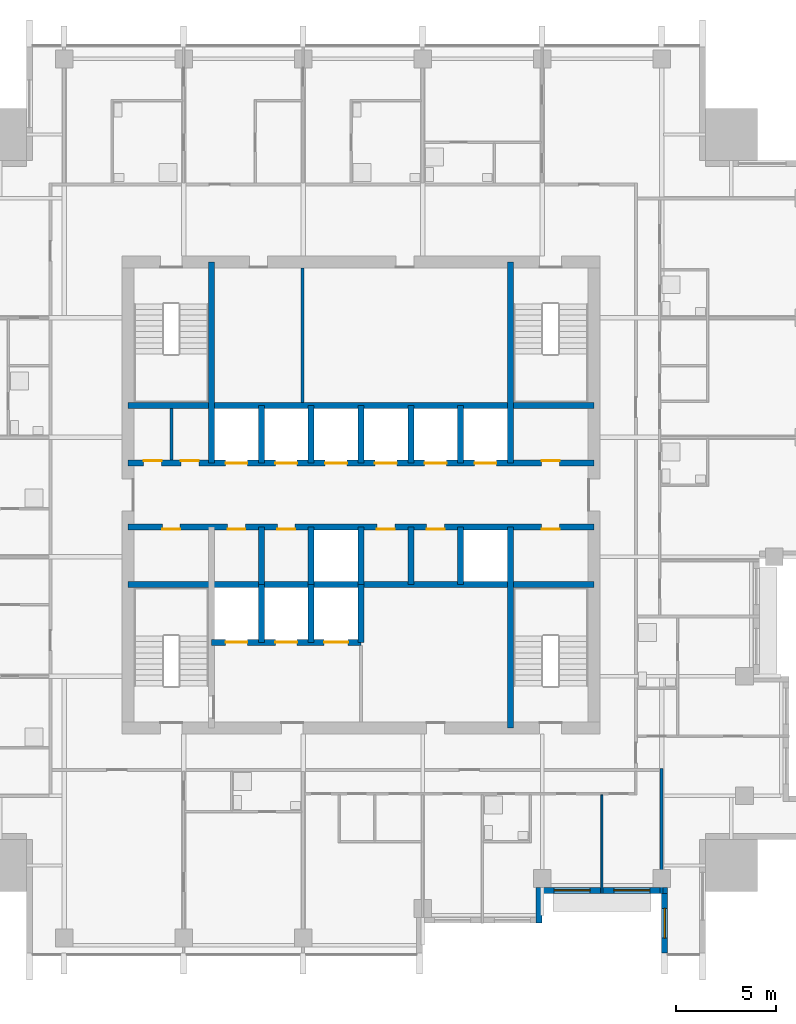
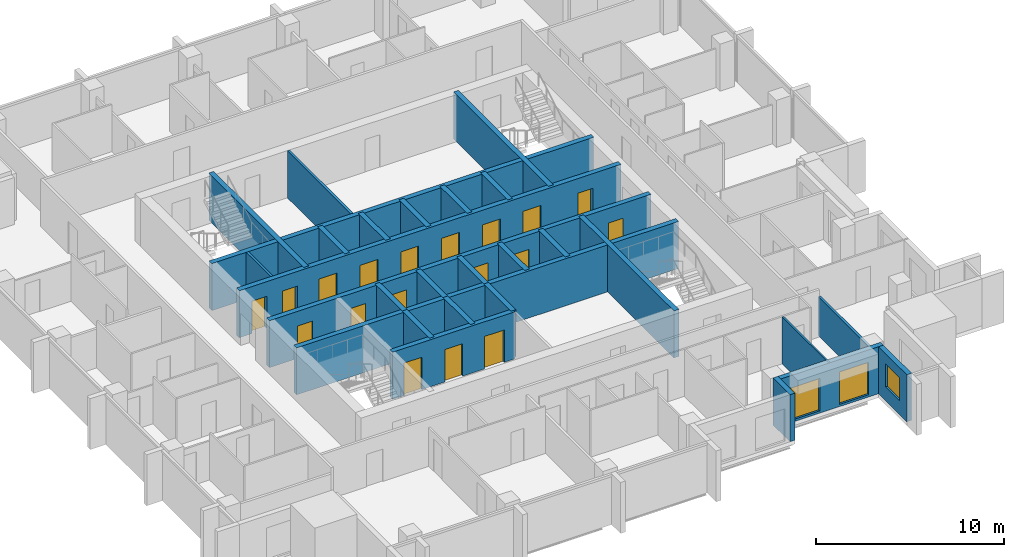
# One storey, part 5 of 10: 28 walls, 18 doors, 3 windows, 21 openings.
"""IFC4 building model written with IfcOpenShell, lengths in metres."""

from ifc_helpers import new_model, si_unit, direction, frame, frame_2d, origin, place, context, subcontext, project, spatial, rectangle, extrude, material, layer, layer_set, type_object, element, fill, save


model = new_model("IFC4")

# Units and contexts
model_context = context("Model", 3, precision=1e-05, world=origin(), true_north=direction((0.0, 1.0)))
body_context = subcontext(model_context, "Body", "Model", "MODEL_VIEW")
ifc_project = project(units=[si_unit("LENGTHUNIT", "METRE"), si_unit("AREAUNIT", "SQUARE_METRE"), si_unit("VOLUMEUNIT", "CUBIC_METRE"), si_unit("PLANEANGLEUNIT", "RADIAN"), si_unit("MASSUNIT", "GRAM", prefix="KILO")], contexts=[model_context])

# Site, building, storey
site_placement = place(None, origin())
site = spatial("IfcSite", under=ifc_project, at=site_placement, CompositionType="ELEMENT")
building_placement = place(site_placement, origin())
building = spatial("IfcBuilding", under=site, at=building_placement, Name="Amberfall Residences", CompositionType="ELEMENT")
storey_placement = place(building_placement, frame((0.0, 0.0, 200.199951171875)))
storey = spatial("IfcBuildingStorey", under=building, at=storey_placement, Name="L53", CompositionType="ELEMENT", Elevation=200.199951171875)

# Wall
ifc_material_1 = material(Name="Pale stone cladding on insulated backing", Category="masonry")
ifc_layer_1 = layer(ifc_material_1, 0.300048828125)
ifc_layer_set_1 = layer_set([ifc_layer_1], Name="Bronze clad wall 300")
wall_type_1 = type_object("IfcWallType", Name="Bronze clad wall 300", PredefinedType="SOLIDWALL", material=ifc_layer_set_1)
wall_1_placement = place(storey_placement, frame((83.449951171875, 24.0, 0.0), z_axis=(0.0, 0.0, 1.0), x_axis=(0.0, 1.0, 0.0)))
element("IfcWall", 1, at=wall_1_placement, inside=storey, type_object=wall_type_1, Name="External wall L53 S", PredefinedType="SOLIDWALL", context=body_context, shape_type="SweptSolid", body=[
    extrude(rectangle(XDim=1.800048828125, YDim=0.300048828125, at=frame_2d((0.89990234375, 0.0))), origin(), (0.0, 0.0, 1.0), 3.050048828125),
])

# Wall, opening, window
wall_2_placement = place(storey_placement, frame((89.75, 25.5, 0.0), z_axis=(0.0, 0.0, 1.0), x_axis=(0.0, -1.0, 0.0)))
wall_2 = element("IfcWall", 2, at=wall_2_placement, inside=storey, type_object=wall_type_1, Name="External wall L53 S", PredefinedType="SOLIDWALL", context=body_context, shape_type="SweptSolid", body=[
    extrude(rectangle(XDim=3.0, YDim=0.300048828125, at=frame_2d((1.5, 0.0))), origin(), (0.0, 0.0, 1.0), 3.050048828125),
])
opening_1_placement = place(wall_2_placement, frame((0.75, 0.0, 0.89990234375)))
opening_1 = element("IfcOpeningElement", 3, at=opening_1_placement, cuts=wall_2, Name="Opening WN1", PredefinedType="OPENING", context=body_context, shape_type="SweptSolid", body=[
    extrude(rectangle(XDim=1.5, YDim=1.5, at=frame_2d((0.75, 0.75))), frame((0.0, 0.159912109375, 0.0), z_axis=(0.0, -1.0, 0.0), x_axis=(1.0, 0.0, 0.0)), (0.0, 0.0, 1.0), 0.320068359375),
])
ifc_material_2 = material(Name="Bronze aluminium framed glazing", Category="aluminium")
window_type_1 = type_object("IfcWindowType", Name="Window 1500 x 1500 bronze", PartitioningType="DOUBLE_PANEL_VERTICAL", PredefinedType="WINDOW", material=ifc_material_2)
window_1_placement = place(opening_1_placement, origin())
window_1 = element("IfcWindow", 4, at=window_1_placement, inside=storey, type_object=window_type_1, Name="Window L53 S", OverallHeight=1.5, OverallWidth=1.5, PartitioningType="DOUBLE_PANEL_VERTICAL", PredefinedType="WINDOW", context=body_context, shape_type="SweptSolid", body=[
    extrude(rectangle(XDim=1.5, YDim=1.5, at=frame_2d((0.75, 0.75))), frame((0.0, 0.030029296875, 0.0), z_axis=(0.0, -1.0, 0.0), x_axis=(1.0, 0.0, 0.0)), (0.0, 0.0, 1.0), 0.06005859375),
])
fill(opening_1, window_1)

# Wall, openings, windows
wall_3_placement = place(storey_placement, frame((83.60009765625, 25.64990234375, 0.0), z_axis=(0.0, 0.0, 1.0), x_axis=(1.0, 0.0, 0.0)))
wall_3 = element("IfcWall", 5, at=wall_3_placement, inside=storey, type_object=wall_type_1, Name="Stone wall L53 S", PredefinedType="SOLIDWALL", context=body_context, shape_type="SweptSolid", body=[
    extrude(rectangle(XDim=6.2998046875, YDim=0.300048828125, at=frame_2d((3.14990234375, 0.0))), origin(), (0.0, 0.0, 1.0), 3.050048828125),
])
opening_2_placement = place(wall_3_placement, frame((0.60009765625, 0.0, 0.14990234375)))
opening_2 = element("IfcOpeningElement", 6, at=opening_2_placement, cuts=wall_3, Name="Opening WN6", PredefinedType="OPENING", context=body_context, shape_type="SweptSolid", body=[
    extrude(rectangle(XDim=1.800048828125, YDim=2.10009765625, at=frame_2d((0.89990234375, 1.050048828125))), frame((0.0, 0.159912109375, 0.0), z_axis=(0.0, -1.0, 0.0), x_axis=(1.0, 0.0, 0.0)), (0.0, 0.0, 1.0), 0.320068359375),
])
opening_3_placement = place(wall_3_placement, frame((3.60009765625, 0.0, 0.14990234375)))
opening_3 = element("IfcOpeningElement", 7, at=opening_3_placement, cuts=wall_3, Name="Opening WN6", PredefinedType="OPENING", context=body_context, shape_type="SweptSolid", body=[
    extrude(rectangle(XDim=1.800048828125, YDim=2.10009765625, at=frame_2d((0.89990234375, 1.050048828125))), frame((0.0, 0.159912109375, 0.0), z_axis=(0.0, -1.0, 0.0), x_axis=(1.0, 0.0, 0.0)), (0.0, 0.0, 1.0), 0.320068359375),
])
window_type_2 = type_object("IfcWindowType", Name="Glazed opening 1800 x 2100 bronze", PartitioningType="DOUBLE_PANEL_VERTICAL", PredefinedType="WINDOW", material=ifc_material_2)
window_2_placement = place(opening_2_placement, origin())
window_2 = element("IfcWindow", 8, at=window_2_placement, inside=storey, type_object=window_type_2, Name="Window L53 S", OverallHeight=2.10009765625, OverallWidth=1.800048828125, PartitioningType="DOUBLE_PANEL_VERTICAL", PredefinedType="WINDOW", context=body_context, shape_type="SweptSolid", body=[
    extrude(rectangle(XDim=1.800048828125, YDim=2.10009765625, at=frame_2d((0.89990234375, 1.050048828125))), frame((0.0, 0.030029296875, 0.0), z_axis=(0.0, -1.0, 0.0), x_axis=(1.0, 0.0, 0.0)), (0.0, 0.0, 1.0), 0.06005859375),
])
fill(opening_2, window_2)
window_3_placement = place(opening_3_placement, origin())
window_3 = element("IfcWindow", 9, at=window_3_placement, inside=storey, type_object=window_type_2, Name="Window L53 S", OverallHeight=2.10009765625, OverallWidth=1.800048828125, PartitioningType="DOUBLE_PANEL_VERTICAL", PredefinedType="WINDOW", context=body_context, shape_type="SweptSolid", body=[
    extrude(rectangle(XDim=1.800048828125, YDim=2.10009765625, at=frame_2d((0.89990234375, 1.050048828125))), frame((0.0, 0.030029296875, 0.0), z_axis=(0.0, -1.0, 0.0), x_axis=(1.0, 0.0, 0.0)), (0.0, 0.0, 1.0), 0.06005859375),
])
fill(opening_3, window_3)

# Wall
ifc_material_3 = material(Name="Concrete C55", Category="concrete")
ifc_layer_2 = layer(ifc_material_3, 0.300048828125)
ifc_layer_set_2 = layer_set([ifc_layer_2], Name="Core wall 300 C55")
wall_type_2 = type_object("IfcWallType", Name="Core wall 300 C55", PredefinedType="SHEAR", material=ifc_layer_set_2)
wall_4_placement = place(storey_placement, frame((62.800048828125, 41.0, 0.0), z_axis=(0.0, 0.0, 1.0), x_axis=(1.0, 0.0, 0.0)))
element("IfcWall", 10, at=wall_4_placement, inside=storey, type_object=wall_type_2, Name="Core wall RW8 L53 H75", PredefinedType="SHEAR", context=body_context, shape_type="SweptSolid", body=[
    extrude(rectangle(XDim=23.39990234375, YDim=0.300048828125, at=frame_2d((11.699951171875, 0.0))), origin(), (0.0, 0.0, 1.0), 3.050048828125),
])

# Wall, openings, doors
wall_5_placement = place(storey_placement, frame((62.800048828125, 43.89990234375, 0.0), z_axis=(0.0, 0.0, 1.0), x_axis=(1.0, 0.0, 0.0)))
wall_5 = element("IfcWall", 11, at=wall_5_placement, inside=storey, type_object=wall_type_2, Name="Core wall RW8 L53 H104", PredefinedType="SHEAR", context=body_context, shape_type="SweptSolid", body=[
    extrude(rectangle(XDim=23.39990234375, YDim=0.300048828125, at=frame_2d((11.699951171875, 0.0))), origin(), (0.0, 0.0, 1.0), 3.050048828125),
])
opening_4_placement = place(wall_5_placement, frame((1.72509765625, 0.0, 0.0)))
opening_4 = element("IfcOpeningElement", 12, at=opening_4_placement, cuts=wall_5, Name="Opening RD1", PredefinedType="OPENING", context=body_context, shape_type="SweptSolid", body=[
    extrude(rectangle(XDim=0.89990234375, YDim=2.10009765625, at=frame_2d((0.449951171875, 1.050048828125))), frame((0.0, 0.159912109375, 0.0), z_axis=(0.0, -1.0, 0.0), x_axis=(1.0, 0.0, 0.0)), (0.0, 0.0, 1.0), 0.320068359375),
])
opening_5_placement = place(wall_5_placement, frame((20.77490234375, 0.0, 0.0)))
opening_5 = element("IfcOpeningElement", 13, at=opening_5_placement, cuts=wall_5, Name="Opening RD1", PredefinedType="OPENING", context=body_context, shape_type="SweptSolid", body=[
    extrude(rectangle(XDim=0.89990234375, YDim=2.10009765625, at=frame_2d((0.449951171875, 1.050048828125))), frame((0.0, 0.159912109375, 0.0), z_axis=(0.0, -1.0, 0.0), x_axis=(1.0, 0.0, 0.0)), (0.0, 0.0, 1.0), 0.320068359375),
])
opening_6_placement = place(wall_5_placement, frame((5.0, 0.0, 0.0)))
opening_6 = element("IfcOpeningElement", 14, at=opening_6_placement, cuts=wall_5, Name="Opening RD1", PredefinedType="OPENING", context=body_context, shape_type="SweptSolid", body=[
    extrude(rectangle(XDim=0.89990234375, YDim=2.10009765625, at=frame_2d((0.449951171875, 1.050048828125))), frame((0.0, 0.159912109375, 0.0), z_axis=(0.0, -1.0, 0.0), x_axis=(1.0, 0.0, 0.0)), (0.0, 0.0, 1.0), 0.320068359375),
])
opening_7_placement = place(wall_5_placement, frame((7.5, 0.0, 0.0)))
opening_7 = element("IfcOpeningElement", 15, at=opening_7_placement, cuts=wall_5, Name="Opening RD1", PredefinedType="OPENING", context=body_context, shape_type="SweptSolid", body=[
    extrude(rectangle(XDim=0.89990234375, YDim=2.10009765625, at=frame_2d((0.449951171875, 1.050048828125))), frame((0.0, 0.159912109375, 0.0), z_axis=(0.0, -1.0, 0.0), x_axis=(1.0, 0.0, 0.0)), (0.0, 0.0, 1.0), 0.320068359375),
])
opening_8_placement = place(wall_5_placement, frame((12.5, 0.0, 0.0)))
opening_8 = element("IfcOpeningElement", 16, at=opening_8_placement, cuts=wall_5, Name="Opening RD1", PredefinedType="OPENING", context=body_context, shape_type="SweptSolid", body=[
    extrude(rectangle(XDim=0.89990234375, YDim=2.10009765625, at=frame_2d((0.449951171875, 1.050048828125))), frame((0.0, 0.159912109375, 0.0), z_axis=(0.0, -1.0, 0.0), x_axis=(1.0, 0.0, 0.0)), (0.0, 0.0, 1.0), 0.320068359375),
])
opening_9_placement = place(wall_5_placement, frame((15.0, 0.0, 0.0)))
opening_9 = element("IfcOpeningElement", 17, at=opening_9_placement, cuts=wall_5, Name="Opening RD1", PredefinedType="OPENING", context=body_context, shape_type="SweptSolid", body=[
    extrude(rectangle(XDim=0.89990234375, YDim=2.10009765625, at=frame_2d((0.449951171875, 1.050048828125))), frame((0.0, 0.159912109375, 0.0), z_axis=(0.0, -1.0, 0.0), x_axis=(1.0, 0.0, 0.0)), (0.0, 0.0, 1.0), 0.320068359375),
])
ifc_material_4 = material(Name="Steel fire door set", Category="steel")
door_type_1 = type_object("IfcDoorType", Name="Service room door 900 x 2100", OperationType="SINGLE_SWING_LEFT", PredefinedType="DOOR", material=ifc_material_4)
door_1_placement = place(opening_4_placement, origin())
door_1 = element("IfcDoor", 18, at=door_1_placement, inside=storey, type_object=door_type_1, Name="RD1 L53", OperationType="SINGLE_SWING_LEFT", OverallHeight=2.10009765625, OverallWidth=0.89990234375, PredefinedType="DOOR", context=body_context, shape_type="SweptSolid", body=[
    extrude(rectangle(XDim=0.89990234375, YDim=2.10009765625, at=frame_2d((0.449951171875, 1.050048828125))), frame((0.0, -0.08740234375, 0.0), z_axis=(0.0, -1.0, 0.0), x_axis=(1.0, 0.0, 0.0)), (0.0, 0.0, 1.0), 0.050048828125),
])
fill(opening_4, door_1)
door_2_placement = place(opening_5_placement, origin())
door_2 = element("IfcDoor", 19, at=door_2_placement, inside=storey, type_object=door_type_1, Name="RD1 L53", OperationType="SINGLE_SWING_LEFT", OverallHeight=2.10009765625, OverallWidth=0.89990234375, PredefinedType="DOOR", context=body_context, shape_type="SweptSolid", body=[
    extrude(rectangle(XDim=0.89990234375, YDim=2.10009765625, at=frame_2d((0.449951171875, 1.050048828125))), frame((0.0, -0.08740234375, 0.0), z_axis=(0.0, -1.0, 0.0), x_axis=(1.0, 0.0, 0.0)), (0.0, 0.0, 1.0), 0.050048828125),
])
fill(opening_5, door_2)
door_3_placement = place(opening_6_placement, origin())
door_3 = element("IfcDoor", 20, at=door_3_placement, inside=storey, type_object=door_type_1, Name="RD1 L53", OperationType="SINGLE_SWING_RIGHT", OverallHeight=2.10009765625, OverallWidth=0.89990234375, PredefinedType="DOOR", context=body_context, shape_type="SweptSolid", body=[
    extrude(rectangle(XDim=0.89990234375, YDim=2.10009765625, at=frame_2d((0.449951171875, 1.050048828125))), frame((0.0, -0.08740234375, 0.0), z_axis=(0.0, -1.0, 0.0), x_axis=(1.0, 0.0, 0.0)), (0.0, 0.0, 1.0), 0.050048828125),
])
fill(opening_6, door_3)
door_4_placement = place(opening_7_placement, origin())
door_4 = element("IfcDoor", 21, at=door_4_placement, inside=storey, type_object=door_type_1, Name="RD1 L53", OperationType="SINGLE_SWING_LEFT", OverallHeight=2.10009765625, OverallWidth=0.89990234375, PredefinedType="DOOR", context=body_context, shape_type="SweptSolid", body=[
    extrude(rectangle(XDim=0.89990234375, YDim=2.10009765625, at=frame_2d((0.449951171875, 1.050048828125))), frame((0.0, -0.08740234375, 0.0), z_axis=(0.0, -1.0, 0.0), x_axis=(1.0, 0.0, 0.0)), (0.0, 0.0, 1.0), 0.050048828125),
])
fill(opening_7, door_4)
door_5_placement = place(opening_8_placement, origin())
door_5 = element("IfcDoor", 22, at=door_5_placement, inside=storey, type_object=door_type_1, Name="RD1 L53", OperationType="SINGLE_SWING_LEFT", OverallHeight=2.10009765625, OverallWidth=0.89990234375, PredefinedType="DOOR", context=body_context, shape_type="SweptSolid", body=[
    extrude(rectangle(XDim=0.89990234375, YDim=2.10009765625, at=frame_2d((0.449951171875, 1.050048828125))), frame((0.0, -0.08740234375, 0.0), z_axis=(0.0, -1.0, 0.0), x_axis=(1.0, 0.0, 0.0)), (0.0, 0.0, 1.0), 0.050048828125),
])
fill(opening_8, door_5)
door_6_placement = place(opening_9_placement, origin())
door_6 = element("IfcDoor", 23, at=door_6_placement, inside=storey, type_object=door_type_1, Name="RD1 L53", OperationType="SINGLE_SWING_RIGHT", OverallHeight=2.10009765625, OverallWidth=0.89990234375, PredefinedType="DOOR", context=body_context, shape_type="SweptSolid", body=[
    extrude(rectangle(XDim=0.89990234375, YDim=2.10009765625, at=frame_2d((0.449951171875, 1.050048828125))), frame((0.0, -0.08740234375, 0.0), z_axis=(0.0, -1.0, 0.0), x_axis=(1.0, 0.0, 0.0)), (0.0, 0.0, 1.0), 0.050048828125),
])
fill(opening_9, door_6)

wall_6_placement = place(storey_placement, frame((62.800048828125, 47.10009765625, 0.0), z_axis=(0.0, 0.0, 1.0), x_axis=(1.0, 0.0, 0.0)))
wall_6 = element("IfcWall", 24, at=wall_6_placement, inside=storey, type_object=wall_type_2, Name="Core wall RW8 L53 H136", PredefinedType="SHEAR", context=body_context, shape_type="SweptSolid", body=[
    extrude(rectangle(XDim=23.39990234375, YDim=0.300048828125, at=frame_2d((11.699951171875, 0.0))), origin(), (0.0, 0.0, 1.0), 3.050048828125),
])
opening_10_placement = place(wall_6_placement, frame((0.78759765625, 0.0, 0.0)))
opening_10 = element("IfcOpeningElement", 25, at=opening_10_placement, cuts=wall_6, Name="Opening RD1", PredefinedType="OPENING", context=body_context, shape_type="SweptSolid", body=[
    extrude(rectangle(XDim=0.89990234375, YDim=2.10009765625, at=frame_2d((0.449951171875, 1.050048828125))), frame((0.0, 0.159912109375, 0.0), z_axis=(0.0, -1.0, 0.0), x_axis=(1.0, 0.0, 0.0)), (0.0, 0.0, 1.0), 0.320068359375),
])
opening_11_placement = place(wall_6_placement, frame((2.66259765625, 0.0, 0.0)))
opening_11 = element("IfcOpeningElement", 26, at=opening_11_placement, cuts=wall_6, Name="Opening RD1", PredefinedType="OPENING", context=body_context, shape_type="SweptSolid", body=[
    extrude(rectangle(XDim=0.89990234375, YDim=2.10009765625, at=frame_2d((0.449951171875, 1.050048828125))), frame((0.0, 0.159912109375, 0.0), z_axis=(0.0, -1.0, 0.0), x_axis=(1.0, 0.0, 0.0)), (0.0, 0.0, 1.0), 0.320068359375),
])
opening_12_placement = place(wall_6_placement, frame((20.77490234375, 0.0, 0.0)))
opening_12 = element("IfcOpeningElement", 27, at=opening_12_placement, cuts=wall_6, Name="Opening RD1", PredefinedType="OPENING", context=body_context, shape_type="SweptSolid", body=[
    extrude(rectangle(XDim=0.89990234375, YDim=2.10009765625, at=frame_2d((0.449951171875, 1.050048828125))), frame((0.0, 0.159912109375, 0.0), z_axis=(0.0, -1.0, 0.0), x_axis=(1.0, 0.0, 0.0)), (0.0, 0.0, 1.0), 0.320068359375),
])
opening_13_placement = place(wall_6_placement, frame((4.89990234375, 0.0, 0.0)))
opening_13 = element("IfcOpeningElement", 28, at=opening_13_placement, cuts=wall_6, Name="Opening LD1", PredefinedType="OPENING", context=body_context, shape_type="SweptSolid", body=[
    extrude(rectangle(XDim=1.10009765625, YDim=2.10009765625, at=frame_2d((0.550048828125, 1.050048828125))), frame((0.0, 0.159912109375, 0.0), z_axis=(0.0, -1.0, 0.0), x_axis=(1.0, 0.0, 0.0)), (0.0, 0.0, 1.0), 0.320068359375),
])
opening_14_placement = place(wall_6_placement, frame((7.39990234375, 0.0, 0.0)))
opening_14 = element("IfcOpeningElement", 29, at=opening_14_placement, cuts=wall_6, Name="Opening LD1", PredefinedType="OPENING", context=body_context, shape_type="SweptSolid", body=[
    extrude(rectangle(XDim=1.10009765625, YDim=2.10009765625, at=frame_2d((0.550048828125, 1.050048828125))), frame((0.0, 0.159912109375, 0.0), z_axis=(0.0, -1.0, 0.0), x_axis=(1.0, 0.0, 0.0)), (0.0, 0.0, 1.0), 0.320068359375),
])
opening_15_placement = place(wall_6_placement, frame((9.89990234375, 0.0, 0.0)))
opening_15 = element("IfcOpeningElement", 30, at=opening_15_placement, cuts=wall_6, Name="Opening LD1", PredefinedType="OPENING", context=body_context, shape_type="SweptSolid", body=[
    extrude(rectangle(XDim=1.10009765625, YDim=2.10009765625, at=frame_2d((0.550048828125, 1.050048828125))), frame((0.0, 0.159912109375, 0.0), z_axis=(0.0, -1.0, 0.0), x_axis=(1.0, 0.0, 0.0)), (0.0, 0.0, 1.0), 0.320068359375),
])
opening_16_placement = place(wall_6_placement, frame((12.39990234375, 0.0, 0.0)))
opening_16 = element("IfcOpeningElement", 31, at=opening_16_placement, cuts=wall_6, Name="Opening LD1", PredefinedType="OPENING", context=body_context, shape_type="SweptSolid", body=[
    extrude(rectangle(XDim=1.10009765625, YDim=2.10009765625, at=frame_2d((0.550048828125, 1.050048828125))), frame((0.0, 0.159912109375, 0.0), z_axis=(0.0, -1.0, 0.0), x_axis=(1.0, 0.0, 0.0)), (0.0, 0.0, 1.0), 0.320068359375),
])
opening_17_placement = place(wall_6_placement, frame((14.89990234375, 0.0, 0.0)))
opening_17 = element("IfcOpeningElement", 32, at=opening_17_placement, cuts=wall_6, Name="Opening LD1", PredefinedType="OPENING", context=body_context, shape_type="SweptSolid", body=[
    extrude(rectangle(XDim=1.10009765625, YDim=2.10009765625, at=frame_2d((0.550048828125, 1.050048828125))), frame((0.0, 0.159912109375, 0.0), z_axis=(0.0, -1.0, 0.0), x_axis=(1.0, 0.0, 0.0)), (0.0, 0.0, 1.0), 0.320068359375),
])
opening_18_placement = place(wall_6_placement, frame((17.39990234375, 0.0, 0.0)))
opening_18 = element("IfcOpeningElement", 33, at=opening_18_placement, cuts=wall_6, Name="Opening LD1", PredefinedType="OPENING", context=body_context, shape_type="SweptSolid", body=[
    extrude(rectangle(XDim=1.10009765625, YDim=2.10009765625, at=frame_2d((0.550048828125, 1.050048828125))), frame((0.0, 0.159912109375, 0.0), z_axis=(0.0, -1.0, 0.0), x_axis=(1.0, 0.0, 0.0)), (0.0, 0.0, 1.0), 0.320068359375),
])
door_type_2 = type_object("IfcDoorType", Name="Lift landing door 1100 x 2100", OperationType="DOUBLE_DOOR_SLIDING", PredefinedType="DOOR", material=ifc_material_4)
door_7_placement = place(opening_13_placement, origin())
door_7 = element("IfcDoor", 34, at=door_7_placement, inside=storey, type_object=door_type_2, Name="Landing door HP1 L53", OperationType="DOUBLE_DOOR_SLIDING", OverallHeight=2.10009765625, OverallWidth=1.10009765625, PredefinedType="DOOR", context=body_context, shape_type="SweptSolid", body=[
    extrude(rectangle(XDim=1.10009765625, YDim=2.10009765625, at=frame_2d((0.550048828125, 1.050048828125))), frame((0.0, 0.02490234375, 0.0), z_axis=(0.0, -1.0, 0.0), x_axis=(1.0, 0.0, 0.0)), (0.0, 0.0, 1.0), 0.050048828125),
])
fill(opening_13, door_7)
door_8_placement = place(opening_14_placement, origin())
door_8 = element("IfcDoor", 35, at=door_8_placement, inside=storey, type_object=door_type_2, Name="Landing door HP2 L53", OperationType="DOUBLE_DOOR_SLIDING", OverallHeight=2.10009765625, OverallWidth=1.10009765625, PredefinedType="DOOR", context=body_context, shape_type="SweptSolid", body=[
    extrude(rectangle(XDim=1.10009765625, YDim=2.10009765625, at=frame_2d((0.550048828125, 1.050048828125))), frame((0.0, 0.02490234375, 0.0), z_axis=(0.0, -1.0, 0.0), x_axis=(1.0, 0.0, 0.0)), (0.0, 0.0, 1.0), 0.050048828125),
])
fill(opening_14, door_8)
door_9_placement = place(opening_15_placement, origin())
door_9 = element("IfcDoor", 36, at=door_9_placement, inside=storey, type_object=door_type_2, Name="Landing door HP3 L53", OperationType="DOUBLE_DOOR_SLIDING", OverallHeight=2.10009765625, OverallWidth=1.10009765625, PredefinedType="DOOR", context=body_context, shape_type="SweptSolid", body=[
    extrude(rectangle(XDim=1.10009765625, YDim=2.10009765625, at=frame_2d((0.550048828125, 1.050048828125))), frame((0.0, 0.02490234375, 0.0), z_axis=(0.0, -1.0, 0.0), x_axis=(1.0, 0.0, 0.0)), (0.0, 0.0, 1.0), 0.050048828125),
])
fill(opening_15, door_9)
door_10_placement = place(opening_16_placement, origin())
door_10 = element("IfcDoor", 37, at=door_10_placement, inside=storey, type_object=door_type_2, Name="Landing door HP4 L53", OperationType="DOUBLE_DOOR_SLIDING", OverallHeight=2.10009765625, OverallWidth=1.10009765625, PredefinedType="DOOR", context=body_context, shape_type="SweptSolid", body=[
    extrude(rectangle(XDim=1.10009765625, YDim=2.10009765625, at=frame_2d((0.550048828125, 1.050048828125))), frame((0.0, 0.02490234375, 0.0), z_axis=(0.0, -1.0, 0.0), x_axis=(1.0, 0.0, 0.0)), (0.0, 0.0, 1.0), 0.050048828125),
])
fill(opening_16, door_10)
door_11_placement = place(opening_17_placement, origin())
door_11 = element("IfcDoor", 38, at=door_11_placement, inside=storey, type_object=door_type_2, Name="Landing door HP5 L53", OperationType="DOUBLE_DOOR_SLIDING", OverallHeight=2.10009765625, OverallWidth=1.10009765625, PredefinedType="DOOR", context=body_context, shape_type="SweptSolid", body=[
    extrude(rectangle(XDim=1.10009765625, YDim=2.10009765625, at=frame_2d((0.550048828125, 1.050048828125))), frame((0.0, 0.02490234375, 0.0), z_axis=(0.0, -1.0, 0.0), x_axis=(1.0, 0.0, 0.0)), (0.0, 0.0, 1.0), 0.050048828125),
])
fill(opening_17, door_11)
door_12_placement = place(opening_18_placement, origin())
door_12 = element("IfcDoor", 39, at=door_12_placement, inside=storey, type_object=door_type_2, Name="Landing door HP6 L53", OperationType="DOUBLE_DOOR_SLIDING", OverallHeight=2.10009765625, OverallWidth=1.10009765625, PredefinedType="DOOR", context=body_context, shape_type="SweptSolid", body=[
    extrude(rectangle(XDim=1.10009765625, YDim=2.10009765625, at=frame_2d((0.550048828125, 1.050048828125))), frame((0.0, 0.02490234375, 0.0), z_axis=(0.0, -1.0, 0.0), x_axis=(1.0, 0.0, 0.0)), (0.0, 0.0, 1.0), 0.050048828125),
])
fill(opening_18, door_12)
door_13_placement = place(opening_10_placement, origin())
door_13 = element("IfcDoor", 40, at=door_13_placement, inside=storey, type_object=door_type_1, Name="RD1 L53", OperationType="SINGLE_SWING_LEFT", OverallHeight=2.10009765625, OverallWidth=0.89990234375, PredefinedType="DOOR", context=body_context, shape_type="SweptSolid", body=[
    extrude(rectangle(XDim=0.89990234375, YDim=2.10009765625, at=frame_2d((0.449951171875, 1.050048828125))), frame((0.0, 0.1376953125, 0.0), z_axis=(0.0, -1.0, 0.0), x_axis=(1.0, 0.0, 0.0)), (0.0, 0.0, 1.0), 0.050048828125),
])
fill(opening_10, door_13)
door_14_placement = place(opening_11_placement, origin())
door_14 = element("IfcDoor", 41, at=door_14_placement, inside=storey, type_object=door_type_1, Name="RD1 L53", OperationType="SINGLE_SWING_RIGHT", OverallHeight=2.10009765625, OverallWidth=0.89990234375, PredefinedType="DOOR", context=body_context, shape_type="SweptSolid", body=[
    extrude(rectangle(XDim=0.89990234375, YDim=2.10009765625, at=frame_2d((0.449951171875, 1.050048828125))), frame((0.0, 0.1376953125, 0.0), z_axis=(0.0, -1.0, 0.0), x_axis=(1.0, 0.0, 0.0)), (0.0, 0.0, 1.0), 0.050048828125),
])
fill(opening_11, door_14)
door_15_placement = place(opening_12_placement, origin())
door_15 = element("IfcDoor", 42, at=door_15_placement, inside=storey, type_object=door_type_1, Name="RD1 L53", OperationType="SINGLE_SWING_LEFT", OverallHeight=2.10009765625, OverallWidth=0.89990234375, PredefinedType="DOOR", context=body_context, shape_type="SweptSolid", body=[
    extrude(rectangle(XDim=0.89990234375, YDim=2.10009765625, at=frame_2d((0.449951171875, 1.050048828125))), frame((0.0, 0.1376953125, 0.0), z_axis=(0.0, -1.0, 0.0), x_axis=(1.0, 0.0, 0.0)), (0.0, 0.0, 1.0), 0.050048828125),
])
fill(opening_12, door_15)

# Walls
wall_7_placement = place(storey_placement, frame((62.800048828125, 50.0, 0.0), z_axis=(0.0, 0.0, 1.0), x_axis=(1.0, 0.0, 0.0)))
element("IfcWall", 43, at=wall_7_placement, inside=storey, type_object=wall_type_2, Name="Core wall RW8 L53 H165", PredefinedType="SHEAR", context=body_context, shape_type="SweptSolid", body=[
    extrude(rectangle(XDim=23.39990234375, YDim=0.300048828125, at=frame_2d((11.699951171875, 0.0))), origin(), (0.0, 0.0, 1.0), 3.050048828125),
])
for number, where, z_axis, x_axis, name in (
    (44, (67.0, 47.10009765625, 0.0), (0.0, 0.0, 1.0), (0.0, 1.0, 0.0), "Core wall RW8 L53 V45N"),
    (45, (82.0, 33.800048828125, 0.0), (0.0, 0.0, 1.0), (0.0, 1.0, 0.0), "Core wall RW8 L53 V195S"),
    (46, (82.0, 47.10009765625, 0.0), (0.0, 0.0, 1.0), (0.0, 1.0, 0.0), "Core wall RW8 L53 V195N"),
):
    element("IfcWall", number, at=place(storey_placement, frame(where, z_axis=z_axis, x_axis=x_axis)), inside=storey, type_object=wall_type_2, Name=name, PredefinedType="SHEAR", context=body_context, shape_type="SweptSolid", body=[
        extrude(rectangle(XDim=10.099853515625, YDim=0.300048828125, at=frame_2d((5.0498046875, 0.0))), origin(), (0.0, 0.0, 1.0), 3.050048828125),
    ])
for number, where, z_axis, x_axis, name in (
    (47, (69.5, 41.0, 0.0), (0.0, 0.0, 1.0), (0.0, 1.0, 0.0), "Core wall RW8 L53 LPD1"),
    (48, (69.5, 47.10009765625, 0.0), (0.0, 0.0, 1.0), (0.0, 1.0, 0.0), "Core wall RW8 L53 HPD1"),
    (49, (72.0, 41.0, 0.0), (0.0, 0.0, 1.0), (0.0, 1.0, 0.0), "Core wall RW8 L53 LPD2"),
    (50, (72.0, 47.10009765625, 0.0), (0.0, 0.0, 1.0), (0.0, 1.0, 0.0), "Core wall RW8 L53 HPD2"),
    (51, (74.5, 41.0, 0.0), (0.0, 0.0, 1.0), (0.0, 1.0, 0.0), "Core wall RW8 L53 LPD3"),
    (52, (74.5, 47.10009765625, 0.0), (0.0, 0.0, 1.0), (0.0, 1.0, 0.0), "Core wall RW8 L53 HPD3"),
    (53, (77.0, 41.0, 0.0), (0.0, 0.0, 1.0), (0.0, 1.0, 0.0), "Core wall RW8 L53 LPD4"),
    (54, (77.0, 47.10009765625, 0.0), (0.0, 0.0, 1.0), (0.0, 1.0, 0.0), "Core wall RW8 L53 HPD4"),
    (55, (79.5, 41.0, 0.0), (0.0, 0.0, 1.0), (0.0, 1.0, 0.0), "Core wall RW8 L53 LPD5"),
    (56, (79.5, 47.10009765625, 0.0), (0.0, 0.0, 1.0), (0.0, 1.0, 0.0), "Core wall RW8 L53 HPD5"),
):
    element("IfcWall", number, at=place(storey_placement, frame(where, z_axis=z_axis, x_axis=x_axis)), inside=storey, type_object=wall_type_2, Name=name, PredefinedType="SHEAR", context=body_context, shape_type="SweptSolid", body=[
        extrude(rectangle(XDim=2.89990234375, YDim=0.300048828125, at=frame_2d((1.449951171875, 0.0))), origin(), (0.0, 0.0, 1.0), 3.050048828125),
    ])

# Wall, openings, doors
wall_8_placement = place(storey_placement, frame((67.0, 38.10009765625, 0.0), z_axis=(0.0, 0.0, 1.0), x_axis=(1.0, 0.0, 0.0)))
wall_8 = element("IfcWall", 57, at=wall_8_placement, inside=storey, type_object=wall_type_2, Name="Core wall RW8 L53 FFF", PredefinedType="SHEAR", context=body_context, shape_type="SweptSolid", body=[
    extrude(rectangle(XDim=7.5, YDim=0.300048828125, at=frame_2d((3.75, 0.0))), origin(), (0.0, 0.0, 1.0), 3.050048828125),
])
opening_19_placement = place(wall_8_placement, frame((0.699951171875, 0.0, 0.0)))
opening_19 = element("IfcOpeningElement", 58, at=opening_19_placement, cuts=wall_8, Name="Opening LD2", PredefinedType="OPENING", context=body_context, shape_type="SweptSolid", body=[
    extrude(rectangle(XDim=1.10009765625, YDim=2.10009765625, at=frame_2d((0.550048828125, 1.050048828125))), frame((0.0, 0.159912109375, 0.0), z_axis=(0.0, -1.0, 0.0), x_axis=(1.0, 0.0, 0.0)), (0.0, 0.0, 1.0), 0.320068359375),
])
opening_20_placement = place(wall_8_placement, frame((3.199951171875, 0.0, 0.0)))
opening_20 = element("IfcOpeningElement", 59, at=opening_20_placement, cuts=wall_8, Name="Opening LD2", PredefinedType="OPENING", context=body_context, shape_type="SweptSolid", body=[
    extrude(rectangle(XDim=1.10009765625, YDim=2.10009765625, at=frame_2d((0.550048828125, 1.050048828125))), frame((0.0, 0.159912109375, 0.0), z_axis=(0.0, -1.0, 0.0), x_axis=(1.0, 0.0, 0.0)), (0.0, 0.0, 1.0), 0.320068359375),
])
opening_21_placement = place(wall_8_placement, frame((5.64990234375, 0.0, 0.0)))
opening_21 = element("IfcOpeningElement", 60, at=opening_21_placement, cuts=wall_8, Name="Opening LD3", PredefinedType="OPENING", context=body_context, shape_type="SweptSolid", body=[
    extrude(rectangle(XDim=1.199951171875, YDim=2.10009765625, at=frame_2d((0.60009765625, 1.050048828125))), frame((0.0, 0.159912109375, 0.0), z_axis=(0.0, -1.0, 0.0), x_axis=(1.0, 0.0, 0.0)), (0.0, 0.0, 1.0), 0.320068359375),
])
door_type_3 = type_object("IfcDoorType", Name="Firefighting lift landing door 1100 x 2100", OperationType="DOUBLE_DOOR_SLIDING", PredefinedType="DOOR", material=ifc_material_4)
door_16_placement = place(opening_19_placement, origin())
door_16 = element("IfcDoor", 61, at=door_16_placement, inside=storey, type_object=door_type_3, Name="Landing door FF1 L53", OperationType="DOUBLE_DOOR_SLIDING", OverallHeight=2.10009765625, OverallWidth=1.10009765625, PredefinedType="DOOR", context=body_context, shape_type="SweptSolid", body=[
    extrude(rectangle(XDim=1.10009765625, YDim=2.10009765625, at=frame_2d((0.550048828125, 1.050048828125))), frame((0.0, 0.02490234375, 0.0), z_axis=(0.0, -1.0, 0.0), x_axis=(1.0, 0.0, 0.0)), (0.0, 0.0, 1.0), 0.050048828125),
])
fill(opening_19, door_16)
door_17_placement = place(opening_20_placement, origin())
door_17 = element("IfcDoor", 62, at=door_17_placement, inside=storey, type_object=door_type_3, Name="Landing door FF2 L53", OperationType="DOUBLE_DOOR_SLIDING", OverallHeight=2.10009765625, OverallWidth=1.10009765625, PredefinedType="DOOR", context=body_context, shape_type="SweptSolid", body=[
    extrude(rectangle(XDim=1.10009765625, YDim=2.10009765625, at=frame_2d((0.550048828125, 1.050048828125))), frame((0.0, 0.02490234375, 0.0), z_axis=(0.0, -1.0, 0.0), x_axis=(1.0, 0.0, 0.0)), (0.0, 0.0, 1.0), 0.050048828125),
])
fill(opening_20, door_17)
door_type_4 = type_object("IfcDoorType", Name="Service lift landing door 1200 x 2100", OperationType="DOUBLE_DOOR_SLIDING", PredefinedType="DOOR", material=ifc_material_4)
door_18_placement = place(opening_21_placement, origin())
door_18 = element("IfcDoor", 63, at=door_18_placement, inside=storey, type_object=door_type_4, Name="Landing door SL1 L53", OperationType="DOUBLE_DOOR_SLIDING", OverallHeight=2.10009765625, OverallWidth=1.199951171875, PredefinedType="DOOR", context=body_context, shape_type="SweptSolid", body=[
    extrude(rectangle(XDim=1.199951171875, YDim=2.10009765625, at=frame_2d((0.60009765625, 1.050048828125))), frame((0.0, 0.02490234375, 0.0), z_axis=(0.0, -1.0, 0.0), x_axis=(1.0, 0.0, 0.0)), (0.0, 0.0, 1.0), 0.050048828125),
])
fill(opening_21, door_18)

# Walls
for number, where, z_axis, x_axis, name in (
    (64, (69.5, 38.10009765625, 0.0), (0.0, 0.0, 1.0), (0.0, 1.0, 0.0), "Core wall RW8 L53 FFD1"),
    (65, (72.0, 38.10009765625, 0.0), (0.0, 0.0, 1.0), (0.0, 1.0, 0.0), "Core wall RW8 L53 FFD2"),
    (66, (74.5, 38.10009765625, 0.0), (0.0, 0.0, 1.0), (0.0, 1.0, 0.0), "Core wall RW8 L53 FFD3"),
):
    element("IfcWall", number, at=place(storey_placement, frame(where, z_axis=z_axis, x_axis=x_axis)), inside=storey, type_object=wall_type_2, Name=name, PredefinedType="SHEAR", context=body_context, shape_type="SweptSolid", body=[
        extrude(rectangle(XDim=2.89990234375, YDim=0.300048828125, at=frame_2d((1.449951171875, 0.0))), origin(), (0.0, 0.0, 1.0), 3.050048828125),
    ])
ifc_material_5 = material(Name="Gypsum board on metal stud")
ifc_layer_3 = layer(ifc_material_5, 0.10009765625)
ifc_layer_set_3 = layer_set([ifc_layer_3], Name="Flat partition 100")
wall_type_3 = type_object("IfcWallType", Name="Flat partition 100", PredefinedType="PARTITIONING", material=ifc_layer_set_3)
wall_9_placement = place(storey_placement, frame((86.60009765625, 25.5, 0.0), z_axis=(0.0, 0.0, 1.0), x_axis=(0.0, 1.0, 0.0)))
element("IfcWall", 67, at=wall_9_placement, inside=storey, type_object=wall_type_3, Name="Partition 019", PredefinedType="PARTITIONING", context=body_context, shape_type="SweptSolid", body=[
    extrude(rectangle(XDim=4.949951171875, YDim=0.10009765625, at=frame_2d((2.47509765625, 0.0))), origin(), (0.0, 0.0, 1.0), 3.050048828125),
])
ifc_material_6 = material(Name="Blockwork, plastered", Category="masonry")
ifc_layer_4 = layer(ifc_material_6, 0.14990234375)
ifc_layer_set_4 = layer_set([ifc_layer_4], Name="Flat separating wall 150")
wall_type_4 = type_object("IfcWallType", Name="Flat separating wall 150", PredefinedType="PARTITIONING", material=ifc_layer_set_4)
wall_10_placement = place(storey_placement, frame((89.60009765625, 25.5, 0.0), z_axis=(0.0, 0.0, 1.0), x_axis=(0.0, 1.0, 0.0)))
element("IfcWall", 68, at=wall_10_placement, inside=storey, type_object=wall_type_4, Name="Separating wall 054", PredefinedType="PARTITIONING", context=body_context, shape_type="SweptSolid", body=[
    extrude(rectangle(XDim=6.27490234375, YDim=0.14990234375, at=frame_2d((3.137451171875, 0.0))), origin(), (0.0, 0.0, 1.0), 2.51611328125),
])
ifc_material_7 = material(Name="Concrete blockwork", Category="masonry")
ifc_layer_5 = layer(ifc_material_7, 0.14990234375)
ifc_layer_set_5 = layer_set([ifc_layer_5], Name="Riser wall 150")
wall_type_5 = type_object("IfcWallType", Name="Riser wall 150", PredefinedType="PLUMBINGWALL", material=ifc_layer_set_5)
wall_11_placement = place(storey_placement, frame((64.97509765625, 47.25, 0.0), z_axis=(0.0, 0.0, 1.0), x_axis=(0.0, 1.0, 0.0)))
element("IfcWall", 69, at=wall_11_placement, inside=storey, type_object=wall_type_5, Name="L53 core wall ANW0", PredefinedType="PLUMBINGWALL", context=body_context, shape_type="SweptSolid", body=[
    extrude(rectangle(XDim=2.60009765625, YDim=0.14990234375, at=frame_2d((1.300048828125, 0.0))), origin(), (0.0, 0.0, 1.0), 3.050048828125),
])
wall_12_placement = place(storey_placement, frame((71.56005859375, 50.14990234375, 0.0), z_axis=(0.0, 0.0, 1.0), x_axis=(0.0, 1.0, 0.0)))
element("IfcWall", 70, at=wall_12_placement, inside=storey, type_object=wall_type_5, Name="L53 core wall N0", PredefinedType="PLUMBINGWALL", context=body_context, shape_type="SweptSolid", body=[
    extrude(rectangle(XDim=6.75, YDim=0.14990234375, at=frame_2d((3.375, 0.0))), origin(), (0.0, 0.0, 1.0), 3.050048828125),
])

save(model, "model.ifc")
